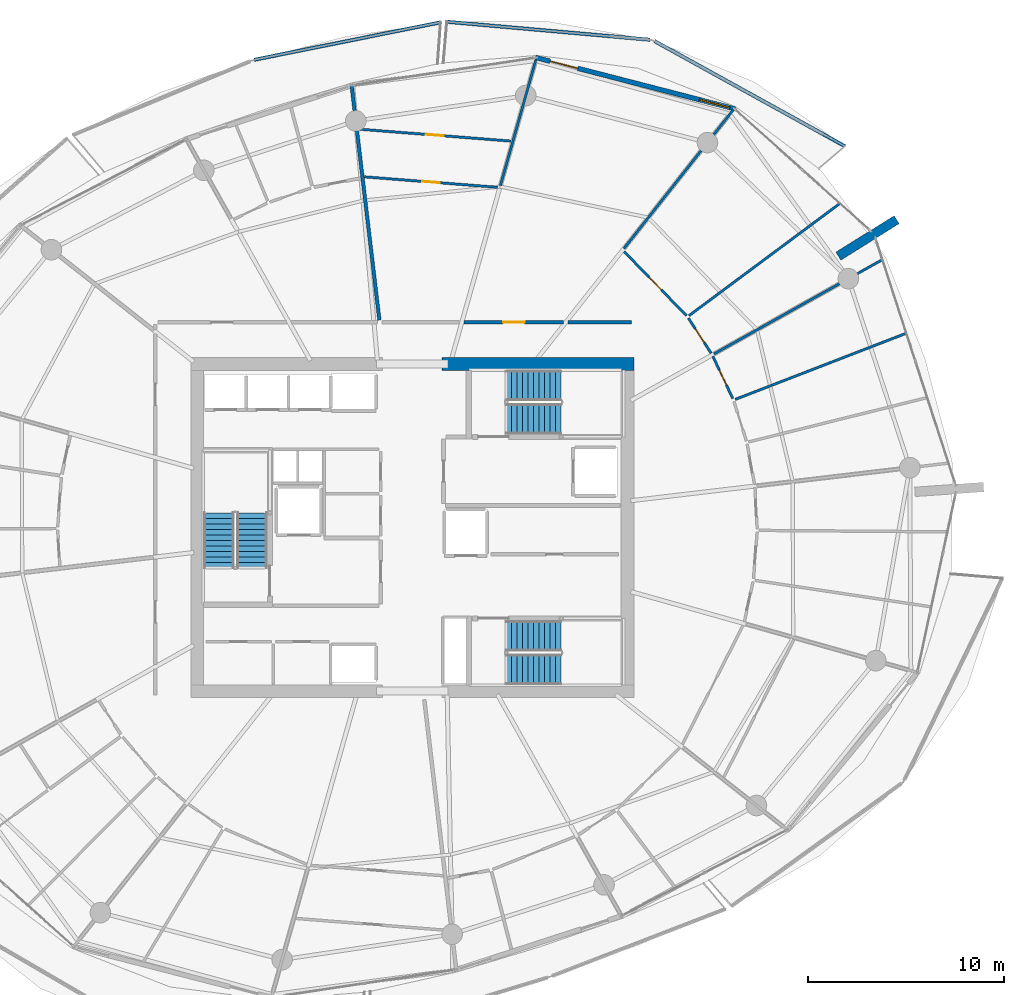
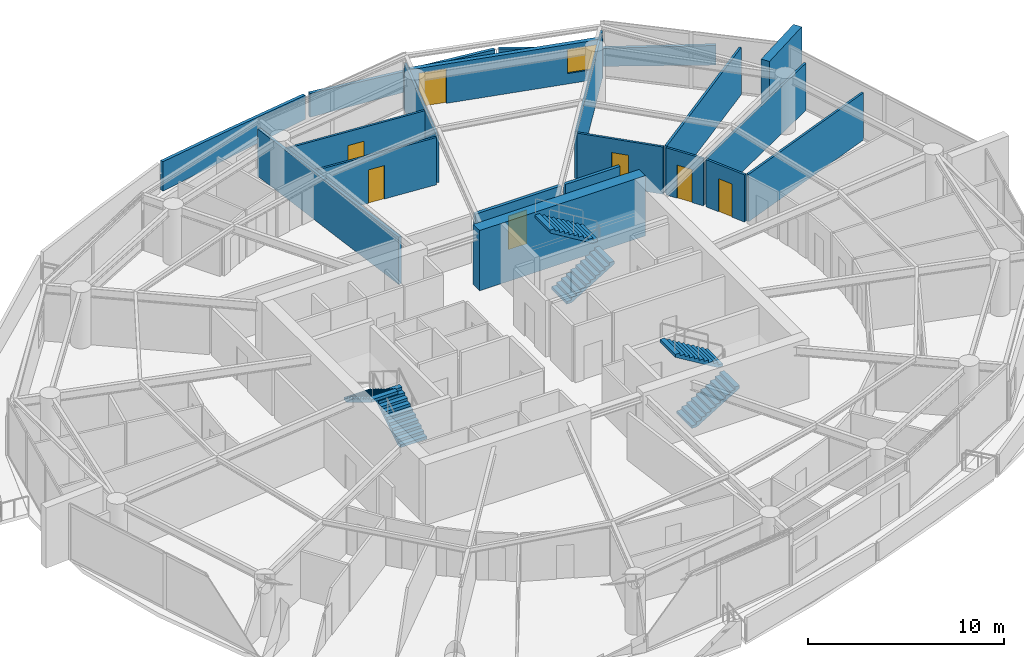
# One storey, part 15 of 20: 19 walls, 7 doors, 6 stair flights, 1 window, 8 openings, 3 elements without a shape of their own.
"""IFC4 building model written with IfcOpenShell, lengths in metres."""

from ifc_helpers import new_model, si_unit, direction, frame, frame_2d, origin, place, context, subcontext, project, spatial, polyline, rectangle, outline, extrude, material, layer, layer_set, type_object, element, fill, aggregate, save


model = new_model("IFC4")

# Units and contexts
model_context = context("Model", 3, precision=1e-05, world=origin(), true_north=direction((0.0, 1.0)))
body_context = subcontext(model_context, "Body", "Model", "MODEL_VIEW")
ifc_project = project(units=[si_unit("LENGTHUNIT", "METRE"), si_unit("AREAUNIT", "SQUARE_METRE"), si_unit("VOLUMEUNIT", "CUBIC_METRE"), si_unit("PLANEANGLEUNIT", "RADIAN"), si_unit("MASSUNIT", "GRAM", prefix="KILO")], contexts=[model_context])

# Site, building, storey
site_placement = place(None, origin())
site = spatial("IfcSite", under=ifc_project, at=site_placement, CompositionType="ELEMENT")
building_placement = place(site_placement, origin())
building = spatial("IfcBuilding", under=site, at=building_placement, Name="Kazma Halo Residences", CompositionType="ELEMENT")
storey_placement = place(building_placement, frame((0.0, 0.0, 210.300048828125)))
storey = spatial("IfcBuildingStorey", under=building, at=storey_placement, Name="L53", CompositionType="ELEMENT", Elevation=210.300048828125)

# Walls
ifc_material_1 = material(Name="White Concrete C50/60 Balustrade", Category="concrete")
ifc_layer_1 = layer(ifc_material_1, 0.179931640625)
ifc_layer_set_1 = layer_set([ifc_layer_1], Name="White Concrete C50/60 Balustrade")
wall_type_1 = type_object("IfcWallType", Name="WL-BAL-WAVE-180", PredefinedType="PARAPET", material=ifc_layer_set_1)
wall_1_placement = place(storey_placement, frame((70.44970703125, 61.412353515625, 0.0), z_axis=(0.0, 0.0, 1.0), x_axis=(-0.875454845647, 0.48329992058, 0.0)))
element("IfcWall", 1, at=wall_1_placement, inside=storey, type_object=wall_type_1, Name="L53 white wave balustrade wall NE.1", PredefinedType="PARAPET", context=body_context, shape_type="SweptSolid", body=[
    extrude(outline(polyline([(0.0, 0.0), (11.075927734375, 0.0), (11.075927734375, 1.14794921875), (5.5380859375, 1.126953125), (0.0, 1.223876953125), (0.0, 0.0)])), frame((0.0, 0.08984375, 0.0), z_axis=(0.0, -1.0, 0.0), x_axis=(1.0, 0.0, 0.0)), (0.0, 0.0, 1.0), 0.179931640625),
])
wall_2_placement = place(storey_placement, frame((60.528564453125, 66.833984375, 0.0), z_axis=(0.0, 0.0, 1.0), x_axis=(-0.996118216942, 0.088025552404, 0.0)))
element("IfcWall", 2, at=wall_2_placement, inside=storey, type_object=wall_type_1, Name="L53 white wave balustrade wall NE.2", PredefinedType="PARAPET", context=body_context, shape_type="SweptSolid", body=[
    extrude(outline(polyline([(0.0, 0.0), (10.384033203125, 0.0), (10.384033203125, 1.48291015625), (5.192138671875, 1.283935546875), (0.0, 1.14794921875), (0.0, 0.0)])), frame((0.0, 0.08984375, 0.0), z_axis=(0.0, -1.0, 0.0), x_axis=(1.0, 0.0, 0.0)), (0.0, 0.0, 1.0), 0.179931640625),
])
wall_3_placement = place(storey_placement, frame((49.8662109375, 67.720703125, 0.0), z_axis=(0.0, 0.0, 1.0), x_axis=(-0.980371313285, -0.197160057028, 0.0)))
element("IfcWall", 3, at=wall_3_placement, inside=storey, type_object=wall_type_1, Name="L53 white wave balustrade wall NNW.1", PredefinedType="PARAPET", context=body_context, shape_type="SweptSolid", body=[
    extrude(outline(polyline([(0.0, 0.0), (9.66845703125, 0.0), (9.66845703125, 1.83203125), (4.834228515625, 1.696044921875), (0.0, 1.4970703125), (0.0, 0.0)])), frame((0.0, 0.08984375, 0.0), z_axis=(0.0, -1.0, 0.0), x_axis=(1.0, 0.0, 0.0)), (0.0, 0.0, 1.0), 0.179931640625),
])
ifc_material_2 = material(Name="Pale Concrete C60/75", Category="concrete")
ifc_layer_2 = layer(ifc_material_2, 0.47998046875)
ifc_layer_set_2 = layer_set([ifc_layer_2], Name="Pale Concrete C60/75")
wall_type_2 = type_object("IfcWallType", Name="WL-BLADE-480", PredefinedType="SOLIDWALL", material=ifc_layer_set_2)
wall_4_placement = place(storey_placement, frame((70.11376953125, 55.818115234375, 0.0), z_axis=(0.0, 0.0, 1.0), x_axis=(0.848033572426, 0.529942506352, 0.0)))
element("IfcWall", 4, at=wall_4_placement, inside=storey, type_object=wall_type_2, Name="L53 pale concrete structural blade fin wall BW-01", PredefinedType="SOLIDWALL", context=body_context, shape_type="SweptSolid", body=[
    extrude(rectangle(XDim=3.5, YDim=0.47998046875, at=frame_2d((1.75, 0.0))), origin(), (0.0, 0.0, 1.0), 3.75),
])
ifc_material_3 = material(Name="Concrete C60/75", Category="concrete")
ifc_layer_3 = layer(ifc_material_3, 0.64990234375)
ifc_layer_set_3 = layer_set([ifc_layer_3], Name="Concrete C60/75")
wall_type_3 = type_object("IfcWallType", Name="WL-CORE-650", PredefinedType="SHEAR", material=ifc_layer_set_3)
wall_5_placement = place(storey_placement, frame((49.949951171875, 50.324951171875, 0.0), z_axis=(0.0, 0.0, 1.0), x_axis=(1.0, 0.0, 0.0)))
element("IfcWall", 5, at=wall_5_placement, inside=storey, type_object=wall_type_3, Name="L53 central core shear wall NE", PredefinedType="SHEAR", context=body_context, shape_type="SweptSolid", body=[
    extrude(rectangle(XDim=9.75, YDim=0.64990234375, at=frame_2d((4.875, 0.0))), origin(), (0.0, 0.0, 1.0), 3.75),
])
ifc_material_4 = material(Name="Acoustic Twin-Stud Gypsum")
ifc_layer_4 = layer(ifc_material_4, 0.179931640625)
ifc_layer_set_4 = layer_set([ifc_layer_4], Name="Acoustic Twin-Stud Gypsum")
wall_type_4 = type_object("IfcWallType", Name="WL-DEM-180", PredefinedType="PARTITIONING", material=ifc_layer_set_4)
wall_6_placement = place(storey_placement, frame((46.750244140625, 52.55908203125, 0.0), z_axis=(0.0, 0.0, 1.0), x_axis=(-0.117528079883, 0.993069559718, 0.0)))
element("IfcWall", 6, at=wall_6_placement, inside=storey, type_object=wall_type_4, Name="L53 apartment demising radial wall 03", PredefinedType="PARTITIONING", context=body_context, shape_type="SweptSolid", body=[
    extrude(rectangle(XDim=12.002685546875, YDim=0.179931640625, at=frame_2d((6.00146484375, 0.0))), origin(), (0.0, 0.0, 1.0), 2.93994140625),
])

# Wall, opening, door
wall_7_placement = place(storey_placement, frame((56.1181640625, 52.449951171875, 0.0), z_axis=(0.0, 0.0, 1.0), x_axis=(-1.0, 0.0, 0.0)))
wall_7 = element("IfcWall", 7, at=wall_7_placement, inside=storey, type_object=wall_type_4, Name="L53 Apartment 4 entrance corridor wall", PredefinedType="PARTITIONING", context=body_context, shape_type="SweptSolid", body=[
    extrude(rectangle(XDim=5.051025390625, YDim=0.179931640625, at=frame_2d((2.525390625, 0.0))), origin(), (0.0, 0.0, 1.0), 2.93994140625),
])
opening_1_placement = place(wall_7_placement, frame((1.975341796875, 0.0, 0.0)))
opening_1 = element("IfcOpeningElement", 8, at=opening_1_placement, cuts=wall_7, Name="Opening DA-1100", PredefinedType="OPENING", context=body_context, shape_type="SweptSolid", body=[
    extrude(rectangle(XDim=1.10009765625, YDim=2.10009765625, at=frame_2d((0.550048828125, 1.050048828125))), frame((0.0, 0.099853515625, 0.0), z_axis=(0.0, -1.0, 0.0), x_axis=(1.0, 0.0, 0.0)), (0.0, 0.0, 1.0), 0.199951171875),
])
ifc_material_5 = material(Name="Acoustic Walnut Fire Leaf")
door_type_1 = type_object("IfcDoorType", Name="DR-FD60-1100", OperationType="NOTDEFINED", PredefinedType="DOOR", material=ifc_material_5)
door_1_placement = place(opening_1_placement, origin())
door_1 = element("IfcDoor", 9, at=door_1_placement, inside=storey, type_object=door_type_1, Name="L53 Apartment 4 entrance fire door", OperationType="SINGLE_SWING_RIGHT", OverallHeight=2.10009765625, OverallWidth=1.10009765625, PredefinedType="DOOR", context=body_context, shape_type="SweptSolid", body=[
    extrude(rectangle(XDim=1.10009765625, YDim=2.10009765625, at=frame_2d((0.550048828125, 1.050048828125))), frame((0.0, 0.02490234375, 0.0), z_axis=(0.0, -1.0, 0.0), x_axis=(1.0, 0.0, 0.0)), (0.0, 0.0, 1.0), 0.050048828125),
])
fill(opening_1, door_1)

# Wall
wall_8_placement = place(storey_placement, frame((59.580078125, 52.449951171875, 0.0), z_axis=(0.0, 0.0, 1.0), x_axis=(-1.0, 0.0, 0.0)))
element("IfcWall", 10, at=wall_8_placement, inside=storey, type_object=wall_type_4, Name="L53 Apartment 4 inner wall 0", PredefinedType="PARTITIONING", context=body_context, shape_type="SweptSolid", body=[
    extrude(rectangle(XDim=3.221923828125, YDim=0.179931640625, at=frame_2d((1.61083984375, 0.0))), origin(), (0.0, 0.0, 1.0), 2.93994140625),
])

# Wall, openings, door, window
ifc_material_6 = material(Name="Insulated Pale-Metal Composite Wall")
ifc_layer_5 = layer(ifc_material_6, 0.239990234375)
ifc_layer_set_5 = layer_set([ifc_layer_5], Name="Insulated Pale-Metal Composite Wall")
wall_type_5 = type_object("IfcWallType", Name="WL-EXT-HOST-240", PredefinedType="SOLIDWALL", material=ifc_layer_set_5)
wall_9_placement = place(storey_placement, frame((64.860107421875, 63.31298828125, 0.0), z_axis=(0.0, 0.0, 1.0), x_axis=(-0.968374028006, 0.249502989727, 0.0)))
wall_9 = element("IfcWall", 11, at=wall_9_placement, inside=storey, type_object=wall_type_5, Name="L53 exterior terrace-access wall B02", PredefinedType="SOLIDWALL", context=body_context, shape_type="SweptSolid", body=[
    extrude(rectangle(XDim=10.494384765625, YDim=0.239990234375, at=frame_2d((5.2470703125, 0.0))), origin(), (0.0, 0.0, 1.0), 2.449951171875),
])
opening_2_placement = place(wall_9_placement, frame((8.2744140625, 0.0, 0.0)))
opening_2 = element("IfcOpeningElement", 12, at=opening_2_placement, cuts=wall_9, Name="Opening DTR-1600", PredefinedType="OPENING", context=body_context, shape_type="SweptSolid", body=[
    extrude(rectangle(XDim=1.449951171875, YDim=2.14990234375, at=frame_2d((0.72509765625, 1.074951171875))), frame((0.0, 0.1298828125, 0.0), z_axis=(0.0, -1.0, 0.0), x_axis=(1.0, 0.0, 0.0)), (0.0, 0.0, 1.0), 0.260009765625),
])
opening_3_placement = place(wall_9_placement, frame((0.280029296875, 0.0, 0.64990234375)))
opening_3 = element("IfcOpeningElement", 13, at=opening_3_placement, cuts=wall_9, Name="Opening W-1800", PredefinedType="OPENING", context=body_context, shape_type="SweptSolid", body=[
    extrude(rectangle(XDim=1.60009765625, YDim=1.5, at=frame_2d((0.800048828125, 0.75))), frame((0.0, 0.1298828125, 0.0), z_axis=(0.0, -1.0, 0.0), x_axis=(1.0, 0.0, 0.0)), (0.0, 0.0, 1.0), 0.260009765625),
])
ifc_material_7 = material(Name="Aluminium AW-6063 T6 Double-Glazed Terrace Door", Category="aluminium")
door_type_2 = type_object("IfcDoorType", Name="DR-EXT-TERR-1600", OperationType="NOTDEFINED", PredefinedType="DOOR", material=ifc_material_7)
door_2_placement = place(opening_2_placement, origin())
door_2 = element("IfcDoor", 14, at=door_2_placement, inside=storey, type_object=door_type_2, Name="L53 B02 balcony terrace door", OperationType="DOUBLE_DOOR_SLIDING", OverallHeight=2.14990234375, OverallWidth=1.449951171875, PredefinedType="DOOR", context=body_context, shape_type="SweptSolid", body=[
    extrude(rectangle(XDim=1.449951171875, YDim=2.14990234375, at=frame_2d((0.72509765625, 1.074951171875))), frame((0.0, 0.02490234375, 0.0), z_axis=(0.0, -1.0, 0.0), x_axis=(1.0, 0.0, 0.0)), (0.0, 0.0, 1.0), 0.050048828125),
])
fill(opening_2, door_2)
ifc_material_8 = material(Name="Clear Triple-Silver Low-E Glass in Aluminium AW-6063 T6 Frame", Category="aluminium")
window_type = type_object("IfcWindowType", Name="WIN-RES-1800", PartitioningType="DOUBLE_PANEL_VERTICAL", PredefinedType="WINDOW", material=ifc_material_8)
window_placement = place(opening_3_placement, origin())
window = element("IfcWindow", 15, at=window_placement, inside=storey, type_object=window_type, Name="L53 B02 apartment window", OverallHeight=1.5, OverallWidth=1.60009765625, PartitioningType="SINGLE_PANEL", PredefinedType="WINDOW", context=body_context, shape_type="SweptSolid", body=[
    extrude(rectangle(XDim=1.60009765625, YDim=1.5, at=frame_2d((0.800048828125, 0.75))), frame((0.0, 0.030029296875, 0.0), z_axis=(0.0, -1.0, 0.0), x_axis=(1.0, 0.0, 0.0)), (0.0, 0.0, 1.0), 0.06005859375),
])
fill(opening_3, window)

# Wall
ifc_material_9 = material(Name="Gypsum Plasterboard Partition")
ifc_layer_6 = layer(ifc_material_9, 0.125)
ifc_layer_set_6 = layer_set([ifc_layer_6], Name="Gypsum Plasterboard Partition")
wall_type_6 = type_object("IfcWallType", Name="WL-PART-125", PredefinedType="PARTITIONING", material=ifc_layer_set_6)
wall_10_placement = place(storey_placement, frame((64.859375, 48.5224609375, 0.0), z_axis=(0.0, 0.0, 1.0), x_axis=(0.93264258635, 0.360801616025, 0.0)))
element("IfcWall", 16, at=wall_10_placement, inside=storey, type_object=wall_type_6, Name="L53 Apartment 4 bay wall 2 15", PredefinedType="PARTITIONING", context=body_context, shape_type="SweptSolid", body=[
    extrude(rectangle(XDim=9.322998046875, YDim=0.125, at=frame_2d((4.66162109375, 0.0))), origin(), (0.0, 0.0, 1.0), 2.93994140625),
])

# Wall, opening, door
wall_11_placement = place(storey_placement, frame((64.7412109375, 48.562255859375, 0.0), z_axis=(0.0, 0.0, 1.0), x_axis=(-0.425713071605, 0.904858210255, 0.0)))
wall_11 = element("IfcWall", 17, at=wall_11_placement, inside=storey, type_object=wall_type_6, Name="L53 Apartment 4 Secondary Bedroom hall wall", PredefinedType="PARTITIONING", context=body_context, shape_type="SweptSolid", body=[
    extrude(rectangle(XDim=2.380615234375, YDim=0.125, at=frame_2d((1.1904296875, 0.0))), origin(), (0.0, 0.0, 1.0), 2.93994140625),
])
opening_4_placement = place(wall_11_placement, frame((0.765380859375, 0.0, 0.0)))
opening_4 = element("IfcOpeningElement", 18, at=opening_4_placement, cuts=wall_11, Name="Opening DB-900", PredefinedType="OPENING", context=body_context, shape_type="SweptSolid", body=[
    extrude(rectangle(XDim=0.85009765625, YDim=2.06005859375, at=frame_2d((0.425048828125, 1.030029296875))), frame((0.0, 0.072509765625, 0.0), z_axis=(0.0, -1.0, 0.0), x_axis=(1.0, 0.0, 0.0)), (0.0, 0.0, 1.0), 0.14501953125),
])
ifc_material_10 = material(Name="Moisture-Sealed Timber Leaf", Category="wood")
door_type_3 = type_object("IfcDoorType", Name="DR-BTH-900", OperationType="NOTDEFINED", PredefinedType="DOOR", material=ifc_material_10)
door_3_placement = place(opening_4_placement, origin())
door_3 = element("IfcDoor", 19, at=door_3_placement, inside=storey, type_object=door_type_3, Name="L53 Apartment 4 Secondary Bedroom door", OperationType="SINGLE_SWING_RIGHT", OverallHeight=2.06005859375, OverallWidth=0.85009765625, PredefinedType="DOOR", context=body_context, shape_type="SweptSolid", body=[
    extrude(rectangle(XDim=0.85009765625, YDim=2.06005859375, at=frame_2d((0.425048828125, 1.030029296875))), frame((0.0, 0.02490234375, 0.0), z_axis=(0.0, -1.0, 0.0), x_axis=(1.0, 0.0, 0.0)), (0.0, 0.0, 1.0), 0.050048828125),
])
fill(opening_4, door_3)

# Walls
wall_12_placement = place(storey_placement, frame((63.78076171875, 50.837646484375, 0.0), z_axis=(0.0, 0.0, 1.0), x_axis=(0.87249667769, 0.488620044022, 0.0)))
element("IfcWall", 20, at=wall_12_placement, inside=storey, type_object=wall_type_6, Name="L53 Apartment 4 radial partition 0", PredefinedType="PARTITIONING", context=body_context, shape_type="SweptSolid", body=[
    extrude(rectangle(XDim=9.80810546875, YDim=0.125, at=frame_2d((4.904052734375, 0.0))), origin(), (0.0, 0.0, 1.0), 2.93994140625),
])
wall_13_placement = place(storey_placement, frame((59.197509765625, 56.2041015625, 0.0), z_axis=(0.0, 0.0, 1.0), x_axis=(0.619095305497, 0.785315861747, 0.0)))
element("IfcWall", 21, at=wall_13_placement, inside=storey, type_object=wall_type_6, Name="L53 Apartment 4 living radial partition 0", PredefinedType="PARTITIONING", context=body_context, shape_type="SweptSolid", body=[
    extrude(rectangle(XDim=9.043212890625, YDim=0.125, at=frame_2d((4.521484375, 0.0))), origin(), (0.0, 0.0, 1.0), 2.93994140625),
])
wall_14_placement = place(storey_placement, frame((62.5068359375, 52.78564453125, 0.0), z_axis=(0.0, 0.0, 1.0), x_axis=(0.802514437248, 0.596632699413, 0.0)))
element("IfcWall", 22, at=wall_14_placement, inside=storey, type_object=wall_type_6, Name="L53 Apartment 4 mid-bay wall 0", PredefinedType="PARTITIONING", context=body_context, shape_type="SweptSolid", body=[
    extrude(rectangle(XDim=9.55078125, YDim=0.125, at=frame_2d((4.775390625, 0.0))), origin(), (0.0, 0.0, 1.0), 2.93994140625),
])

# Wall, opening, door
wall_15_placement = place(storey_placement, frame((63.63916015625, 50.872802734375, 0.0), z_axis=(0.0, 0.0, 1.0), x_axis=(-0.543701600377, 0.839278600792, 0.0)))
wall_15 = element("IfcWall", 23, at=wall_15_placement, inside=storey, type_object=wall_type_6, Name="L53 Apartment 4 East Wine Pantry Store hall wall", PredefinedType="PARTITIONING", context=body_context, shape_type="SweptSolid", body=[
    extrude(rectangle(XDim=2.13525390625, YDim=0.125, at=frame_2d((1.067626953125, 0.0))), origin(), (0.0, 0.0, 1.0), 2.93994140625),
])
opening_5_placement = place(wall_15_placement, frame((0.642578125, 0.0, 0.0)))
opening_5 = element("IfcOpeningElement", 24, at=opening_5_placement, cuts=wall_15, Name="Opening DB-900", PredefinedType="OPENING", context=body_context, shape_type="SweptSolid", body=[
    extrude(rectangle(XDim=0.85009765625, YDim=2.06005859375, at=frame_2d((0.425048828125, 1.030029296875))), frame((0.0, 0.072509765625, 0.0), z_axis=(0.0, -1.0, 0.0), x_axis=(1.0, 0.0, 0.0)), (0.0, 0.0, 1.0), 0.14501953125),
])
door_4_placement = place(opening_5_placement, origin())
door_4 = element("IfcDoor", 25, at=door_4_placement, inside=storey, type_object=door_type_3, Name="L53 Apartment 4 East Wine Pantry Store door", OperationType="SINGLE_SWING_RIGHT", OverallHeight=2.06005859375, OverallWidth=0.85009765625, PredefinedType="DOOR", context=body_context, shape_type="SweptSolid", body=[
    extrude(rectangle(XDim=0.85009765625, YDim=2.06005859375, at=frame_2d((0.425048828125, 1.030029296875))), frame((0.0, 0.02490234375, 0.0), z_axis=(0.0, -1.0, 0.0), x_axis=(1.0, 0.0, 0.0)), (0.0, 0.0, 1.0), 0.050048828125),
])
fill(opening_5, door_4)

wall_16_placement = place(storey_placement, frame((62.37890625, 52.789306640625, 0.0), z_axis=(0.0, 0.0, 1.0), x_axis=(-0.697062312207, 0.717010552852, 0.0)))
wall_16 = element("IfcWall", 26, at=wall_16_placement, inside=storey, type_object=wall_type_6, Name="L53 Apartment 4 West Formal Dining Room hall wall", PredefinedType="PARTITIONING", context=body_context, shape_type="SweptSolid", body=[
    extrude(rectangle(XDim=4.552734375, YDim=0.125, at=frame_2d((2.2763671875, 0.0))), origin(), (0.0, 0.0, 1.0), 2.93994140625),
])
opening_6_placement = place(wall_16_placement, frame((1.826416015625, 0.0, 0.0)))
opening_6 = element("IfcOpeningElement", 27, at=opening_6_placement, cuts=wall_16, Name="Opening DI-950", PredefinedType="OPENING", context=body_context, shape_type="SweptSolid", body=[
    extrude(rectangle(XDim=0.89990234375, YDim=2.080078125, at=frame_2d((0.449951171875, 1.0400390625))), frame((0.0, 0.072509765625, 0.0), z_axis=(0.0, -1.0, 0.0), x_axis=(1.0, 0.0, 0.0)), (0.0, 0.0, 1.0), 0.14501953125),
])
ifc_material_11 = material(Name="Timber Veneer Flush Leaf", Category="wood")
door_type_4 = type_object("IfcDoorType", Name="DR-INT-950", OperationType="NOTDEFINED", PredefinedType="DOOR", material=ifc_material_11)
door_5_placement = place(opening_6_placement, origin())
door_5 = element("IfcDoor", 28, at=door_5_placement, inside=storey, type_object=door_type_4, Name="L53 Apartment 4 West Formal Dining Room door", OperationType="SINGLE_SWING_LEFT", OverallHeight=2.080078125, OverallWidth=0.89990234375, PredefinedType="DOOR", context=body_context, shape_type="SweptSolid", body=[
    extrude(rectangle(XDim=0.89990234375, YDim=2.080078125, at=frame_2d((0.449951171875, 1.0400390625))), frame((0.0, 0.02490234375, 0.0), z_axis=(0.0, -1.0, 0.0), x_axis=(1.0, 0.0, 0.0)), (0.0, 0.0, 1.0), 0.050048828125),
])
fill(opening_6, door_5)

# Wall
wall_17_placement = place(storey_placement, frame((52.909423828125, 59.407958984375, 0.0), z_axis=(0.0, 0.0, 1.0), x_axis=(0.271461038327, 0.962449429669, 0.0)))
element("IfcWall", 29, at=wall_17_placement, inside=storey, type_object=wall_type_6, Name="L53 Apartment 4 radial partition 2", PredefinedType="PARTITIONING", context=body_context, shape_type="SweptSolid", body=[
    extrude(rectangle(XDim=6.639892578125, YDim=0.125, at=frame_2d((3.31982421875, 0.0))), origin(), (0.0, 0.0, 1.0), 2.93994140625),
])

# Wall, opening, door
wall_18_placement = place(storey_placement, frame((52.772705078125, 59.3203125, 0.0), z_axis=(0.0, 0.0, 1.0), x_axis=(-0.996916436686, 0.078470492963, 0.0)))
wall_18 = element("IfcWall", 30, at=wall_18_placement, inside=storey, type_object=wall_type_6, Name="L53 Apartment 4 North Study hall wall", PredefinedType="PARTITIONING", context=body_context, shape_type="SweptSolid", body=[
    extrude(rectangle(XDim=6.798095703125, YDim=0.125, at=frame_2d((3.39892578125, 0.0))), origin(), (0.0, 0.0, 1.0), 2.93994140625),
])
opening_7_placement = place(wall_18_placement, frame((2.948974609375, 0.0, 0.0)))
opening_7 = element("IfcOpeningElement", 31, at=opening_7_placement, cuts=wall_18, Name="Opening DI-950", PredefinedType="OPENING", context=body_context, shape_type="SweptSolid", body=[
    extrude(rectangle(XDim=0.89990234375, YDim=2.080078125, at=frame_2d((0.449951171875, 1.0400390625))), frame((0.0, 0.072509765625, 0.0), z_axis=(0.0, -1.0, 0.0), x_axis=(1.0, 0.0, 0.0)), (0.0, 0.0, 1.0), 0.14501953125),
])
door_6_placement = place(opening_7_placement, origin())
door_6 = element("IfcDoor", 32, at=door_6_placement, inside=storey, type_object=door_type_4, Name="L53 Apartment 4 North Study door", OperationType="SINGLE_SWING_RIGHT", OverallHeight=2.080078125, OverallWidth=0.89990234375, PredefinedType="DOOR", context=body_context, shape_type="SweptSolid", body=[
    extrude(rectangle(XDim=0.89990234375, YDim=2.080078125, at=frame_2d((0.449951171875, 1.0400390625))), frame((0.0, 0.02490234375, 0.0), z_axis=(0.0, -1.0, 0.0), x_axis=(1.0, 0.0, 0.0)), (0.0, 0.0, 1.0), 0.050048828125),
])
fill(opening_7, door_6)

wall_19_placement = place(storey_placement, frame((53.436279296875, 61.673583984375, 0.0), z_axis=(0.0, 0.0, 1.0), x_axis=(-0.996917885084, 0.078452089838, 0.0)))
wall_19 = element("IfcWall", 33, at=wall_19_placement, inside=storey, type_object=wall_type_6, Name="L53 Apartment 4 South Bedroom divider wall", PredefinedType="PARTITIONING", context=body_context, shape_type="SweptSolid", body=[
    extrude(rectangle(XDim=7.751953125, YDim=0.125, at=frame_2d((3.8759765625, 0.0))), origin(), (0.0, 0.0, 1.0), 2.93994140625),
])
opening_8_placement = place(wall_19_placement, frame((3.426025390625, 0.0, 0.0)))
opening_8 = element("IfcOpeningElement", 34, at=opening_8_placement, cuts=wall_19, Name="Opening DI-950", PredefinedType="OPENING", context=body_context, shape_type="SweptSolid", body=[
    extrude(rectangle(XDim=0.89990234375, YDim=2.080078125, at=frame_2d((0.449951171875, 1.0400390625))), frame((0.0, 0.072509765625, 0.0), z_axis=(0.0, -1.0, 0.0), x_axis=(1.0, 0.0, 0.0)), (0.0, 0.0, 1.0), 0.14501953125),
])
door_7_placement = place(opening_8_placement, origin())
door_7 = element("IfcDoor", 35, at=door_7_placement, inside=storey, type_object=door_type_4, Name="L53 Apartment 4 South Bedroom door", OperationType="SINGLE_SWING_LEFT", OverallHeight=2.080078125, OverallWidth=0.89990234375, PredefinedType="DOOR", context=body_context, shape_type="SweptSolid", body=[
    extrude(rectangle(XDim=0.89990234375, YDim=2.080078125, at=frame_2d((0.449951171875, 1.0400390625))), frame((0.0, 0.02490234375, 0.0), z_axis=(0.0, -1.0, 0.0), x_axis=(1.0, 0.0, 0.0)), (0.0, 0.0, 1.0), 0.050048828125),
])
fill(opening_8, door_7)

# Stair, stair flights
ifc_material_12 = material(Name="Concrete C50/60", Category="concrete")
stair_type = type_object("IfcStairType", Name="STR-RES1", PredefinedType="HALF_TURN_STAIR", material=ifc_material_12)
stair_1_placement = place(storey_placement, origin())
stair_1 = element("IfcStair", 36, at=stair_1_placement, inside=storey, type_object=stair_type, Name="L53 Core exit stair ST-01", PredefinedType="HALF_TURN_STAIR")
stair_flight_type = type_object("IfcStairFlightType", Name="STR-RES1-FLT", PredefinedType="STRAIGHT", material=ifc_material_12)
stair_flight_1_placement = place(storey_placement, frame((40.27490234375, 39.949951171875, 0.0), z_axis=(0.0, 0.0, 1.0), x_axis=(0.0, 1.0, 0.0)))
stair_flight_1 = element("IfcStairFlight", 37, at=stair_flight_1_placement, type_object=stair_flight_type, Name="ST-01 flight 1", NumberOfRisers=11, NumberOfTreads=10, PredefinedType="STRAIGHT", RiserHeight=0.170454545, TreadLength=0.28, context=body_context, shape_type="SweptSolid", body=[
    extrude(outline(polyline([(0.0, 0.0), (0.0, 0.17041015625), (0.280029296875, 0.17041015625), (0.280029296875, 0.3408203125), (0.56005859375, 0.3408203125), (0.56005859375, 0.511474609375), (0.840087890625, 0.511474609375), (0.840087890625, 0.681884765625), (1.1201171875, 0.681884765625), (1.1201171875, 0.852294921875), (1.39990234375, 0.852294921875), (1.39990234375, 1.022705078125), (1.679931640625, 1.022705078125), (1.679931640625, 1.193115234375), (1.9599609375, 1.193115234375), (1.9599609375, 1.363525390625), (2.239990234375, 1.363525390625), (2.239990234375, 1.5341796875), (2.52001953125, 1.5341796875), (2.52001953125, 1.70458984375), (2.800048828125, 1.70458984375), (2.800048828125, 1.875), (2.800048828125, 1.529052734375), (0.288330078125, 0.0), (0.0, 0.0)])), frame((0.0, 0.77490234375, 0.0), z_axis=(0.0, -1.0, 0.0), x_axis=(1.0, 0.0, 0.0)), (0.0, 0.0, 1.0), 1.550048828125),
])
stair_flight_2_placement = place(storey_placement, frame((38.574951171875, 42.75, 1.875), z_axis=(0.0, 0.0, 1.0), x_axis=(0.0, -1.0, 0.0)))
stair_flight_2 = element("IfcStairFlight", 38, at=stair_flight_2_placement, type_object=stair_flight_type, Name="ST-01 flight 2", NumberOfRisers=11, NumberOfTreads=10, PredefinedType="STRAIGHT", RiserHeight=0.170454545, TreadLength=0.28, context=body_context, shape_type="SweptSolid", body=[
    extrude(outline(polyline([(0.0, 0.0), (0.0, 0.17041015625), (0.280029296875, 0.17041015625), (0.280029296875, 0.3408203125), (0.56005859375, 0.3408203125), (0.56005859375, 0.511474609375), (0.840087890625, 0.511474609375), (0.840087890625, 0.681884765625), (1.1201171875, 0.681884765625), (1.1201171875, 0.852294921875), (1.39990234375, 0.852294921875), (1.39990234375, 1.022705078125), (1.679931640625, 1.022705078125), (1.679931640625, 1.193115234375), (1.9599609375, 1.193115234375), (1.9599609375, 1.363525390625), (2.239990234375, 1.363525390625), (2.239990234375, 1.5341796875), (2.52001953125, 1.5341796875), (2.52001953125, 1.70458984375), (2.800048828125, 1.70458984375), (2.800048828125, 1.875), (2.800048828125, 1.529052734375), (0.288330078125, 0.0), (0.0, 0.0)])), frame((0.0, 0.77490234375, 0.0), z_axis=(0.0, -1.0, 0.0), x_axis=(1.0, 0.0, 0.0)), (0.0, 0.0, 1.0), 1.550048828125),
])
aggregate(stair_1, [stair_flight_1, stair_flight_2])

stair_2_placement = place(storey_placement, origin())
stair_2 = element("IfcStair", 39, at=stair_2_placement, inside=storey, type_object=stair_type, Name="L53 Core exit stair ST-02", PredefinedType="HALF_TURN_STAIR")
stair_flight_3_placement = place(storey_placement, frame((53.199951171875, 47.52490234375, 0.0), z_axis=(0.0, 0.0, 1.0), x_axis=(1.0, 0.0, 0.0)))
stair_flight_3 = element("IfcStairFlight", 40, at=stair_flight_3_placement, type_object=stair_flight_type, Name="ST-02 flight 1", NumberOfRisers=11, NumberOfTreads=10, PredefinedType="STRAIGHT", RiserHeight=0.170454545, TreadLength=0.28, context=body_context, shape_type="SweptSolid", body=[
    extrude(outline(polyline([(0.0, 0.0), (0.0, 0.17041015625), (0.280029296875, 0.17041015625), (0.280029296875, 0.3408203125), (0.56005859375, 0.3408203125), (0.56005859375, 0.511474609375), (0.840087890625, 0.511474609375), (0.840087890625, 0.681884765625), (1.1201171875, 0.681884765625), (1.1201171875, 0.852294921875), (1.39990234375, 0.852294921875), (1.39990234375, 1.022705078125), (1.679931640625, 1.022705078125), (1.679931640625, 1.193115234375), (1.9599609375, 1.193115234375), (1.9599609375, 1.363525390625), (2.239990234375, 1.363525390625), (2.239990234375, 1.5341796875), (2.52001953125, 1.5341796875), (2.52001953125, 1.70458984375), (2.800048828125, 1.70458984375), (2.800048828125, 1.875), (2.800048828125, 1.529052734375), (0.288330078125, 0.0), (0.0, 0.0)])), frame((0.0, 0.77490234375, 0.0), z_axis=(0.0, -1.0, 0.0), x_axis=(1.0, 0.0, 0.0)), (0.0, 0.0, 1.0), 1.550048828125),
])
stair_flight_4_placement = place(storey_placement, frame((56.0, 49.22509765625, 1.875), z_axis=(0.0, 0.0, 1.0), x_axis=(-1.0, 0.0, 0.0)))
stair_flight_4 = element("IfcStairFlight", 41, at=stair_flight_4_placement, type_object=stair_flight_type, Name="ST-02 flight 2", NumberOfRisers=11, NumberOfTreads=10, PredefinedType="STRAIGHT", RiserHeight=0.170454545, TreadLength=0.28, context=body_context, shape_type="SweptSolid", body=[
    extrude(outline(polyline([(0.0, 0.0), (0.0, 0.17041015625), (0.280029296875, 0.17041015625), (0.280029296875, 0.3408203125), (0.56005859375, 0.3408203125), (0.56005859375, 0.511474609375), (0.840087890625, 0.511474609375), (0.840087890625, 0.681884765625), (1.1201171875, 0.681884765625), (1.1201171875, 0.852294921875), (1.39990234375, 0.852294921875), (1.39990234375, 1.022705078125), (1.679931640625, 1.022705078125), (1.679931640625, 1.193115234375), (1.9599609375, 1.193115234375), (1.9599609375, 1.363525390625), (2.239990234375, 1.363525390625), (2.239990234375, 1.5341796875), (2.52001953125, 1.5341796875), (2.52001953125, 1.70458984375), (2.800048828125, 1.70458984375), (2.800048828125, 1.875), (2.800048828125, 1.529052734375), (0.288330078125, 0.0), (0.0, 0.0)])), frame((0.0, 0.77490234375, 0.0), z_axis=(0.0, -1.0, 0.0), x_axis=(1.0, 0.0, 0.0)), (0.0, 0.0, 1.0), 1.550048828125),
])
aggregate(stair_2, [stair_flight_3, stair_flight_4])

stair_3_placement = place(storey_placement, origin())
stair_3 = element("IfcStair", 42, at=stair_3_placement, inside=storey, type_object=stair_type, Name="L53 Core exit stair ST-03", PredefinedType="HALF_TURN_STAIR")
stair_flight_5_placement = place(storey_placement, frame((53.199951171875, 34.77490234375, 0.0), z_axis=(0.0, 0.0, 1.0), x_axis=(1.0, 0.0, 0.0)))
stair_flight_5 = element("IfcStairFlight", 43, at=stair_flight_5_placement, type_object=stair_flight_type, Name="ST-03 flight 1", NumberOfRisers=11, NumberOfTreads=10, PredefinedType="STRAIGHT", RiserHeight=0.170454545, TreadLength=0.28, context=body_context, shape_type="SweptSolid", body=[
    extrude(outline(polyline([(0.0, 0.0), (0.0, 0.17041015625), (0.280029296875, 0.17041015625), (0.280029296875, 0.3408203125), (0.56005859375, 0.3408203125), (0.56005859375, 0.511474609375), (0.840087890625, 0.511474609375), (0.840087890625, 0.681884765625), (1.1201171875, 0.681884765625), (1.1201171875, 0.852294921875), (1.39990234375, 0.852294921875), (1.39990234375, 1.022705078125), (1.679931640625, 1.022705078125), (1.679931640625, 1.193115234375), (1.9599609375, 1.193115234375), (1.9599609375, 1.363525390625), (2.239990234375, 1.363525390625), (2.239990234375, 1.5341796875), (2.52001953125, 1.5341796875), (2.52001953125, 1.70458984375), (2.800048828125, 1.70458984375), (2.800048828125, 1.875), (2.800048828125, 1.529052734375), (0.288330078125, 0.0), (0.0, 0.0)])), frame((0.0, 0.77490234375, 0.0), z_axis=(0.0, -1.0, 0.0), x_axis=(1.0, 0.0, 0.0)), (0.0, 0.0, 1.0), 1.550048828125),
])
stair_flight_6_placement = place(storey_placement, frame((56.0, 36.47509765625, 1.875), z_axis=(0.0, 0.0, 1.0), x_axis=(-1.0, 0.0, 0.0)))
stair_flight_6 = element("IfcStairFlight", 44, at=stair_flight_6_placement, type_object=stair_flight_type, Name="ST-03 flight 2", NumberOfRisers=11, NumberOfTreads=10, PredefinedType="STRAIGHT", RiserHeight=0.170454545, TreadLength=0.28, context=body_context, shape_type="SweptSolid", body=[
    extrude(outline(polyline([(0.0, 0.0), (0.0, 0.17041015625), (0.280029296875, 0.17041015625), (0.280029296875, 0.3408203125), (0.56005859375, 0.3408203125), (0.56005859375, 0.511474609375), (0.840087890625, 0.511474609375), (0.840087890625, 0.681884765625), (1.1201171875, 0.681884765625), (1.1201171875, 0.852294921875), (1.39990234375, 0.852294921875), (1.39990234375, 1.022705078125), (1.679931640625, 1.022705078125), (1.679931640625, 1.193115234375), (1.9599609375, 1.193115234375), (1.9599609375, 1.363525390625), (2.239990234375, 1.363525390625), (2.239990234375, 1.5341796875), (2.52001953125, 1.5341796875), (2.52001953125, 1.70458984375), (2.800048828125, 1.70458984375), (2.800048828125, 1.875), (2.800048828125, 1.529052734375), (0.288330078125, 0.0), (0.0, 0.0)])), frame((0.0, 0.77490234375, 0.0), z_axis=(0.0, -1.0, 0.0), x_axis=(1.0, 0.0, 0.0)), (0.0, 0.0, 1.0), 1.550048828125),
])
aggregate(stair_3, [stair_flight_5, stair_flight_6])

save(model, "model.ifc")
